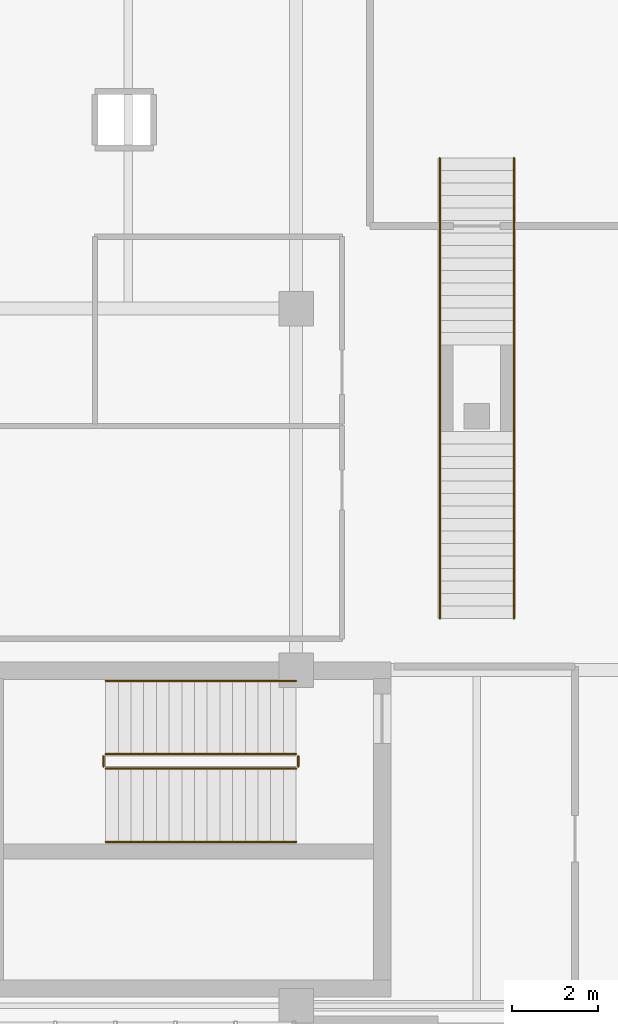
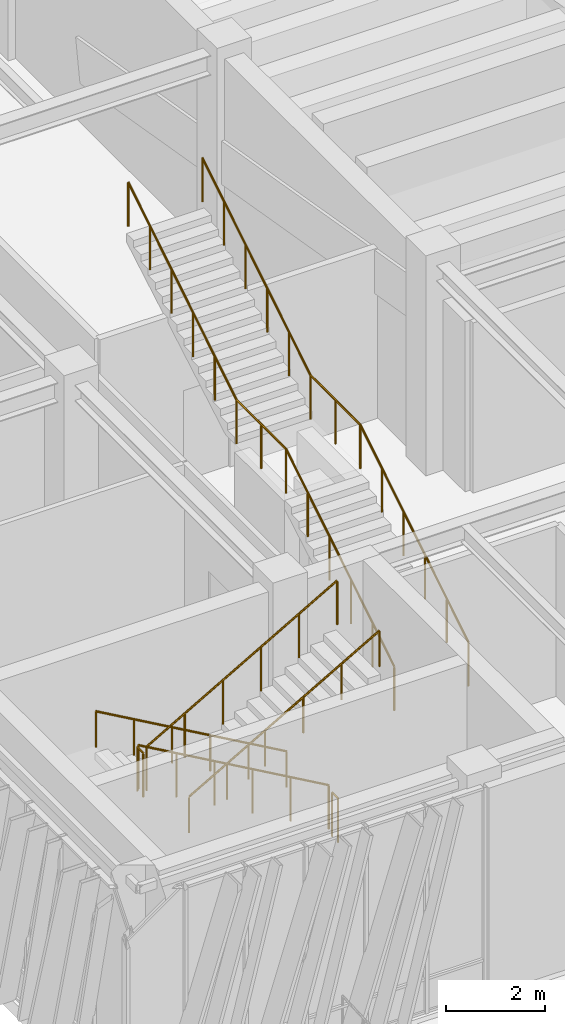
# One storey, part 111 of 122: 8 railings.
"""IFC4 building model written with IfcOpenShell, lengths in metres."""

from ifc_helpers import new_model, si_unit, direction, frame, origin, origin_2d, place, context, subcontext, project, spatial, circle, extrude, material, type_object, element, save


model = new_model("IFC4")

# Units and contexts
model_context = context("Model", 3, precision=1e-05, world=origin(), true_north=direction((0.0, 1.0)))
body_context = subcontext(model_context, "Body", "Model", "MODEL_VIEW")
ifc_project = project(units=[si_unit("LENGTHUNIT", "METRE"), si_unit("AREAUNIT", "SQUARE_METRE"), si_unit("VOLUMEUNIT", "CUBIC_METRE"), si_unit("PLANEANGLEUNIT", "RADIAN"), si_unit("MASSUNIT", "GRAM", prefix="KILO")], contexts=[model_context])

# Site, building, storey
site_placement = place(None, origin())
site = spatial("IfcSite", under=ifc_project, at=site_placement, CompositionType="ELEMENT")
building_placement = place(site_placement, origin())
building = spatial("IfcBuilding", under=site, at=building_placement, Name="Zayran Congress Hotel", CompositionType="ELEMENT")
storey_placement = place(building_placement, origin())
storey = spatial("IfcBuildingStorey", under=building, at=storey_placement, Name="L00", CompositionType="ELEMENT", Elevation=0.0)

# Railings
ifc_material_1 = material(Name="Painted steel balustrade", Category="steel")
railing_type_1 = type_object("IfcRailingType", Name="TP-GRD-INT", PredefinedType="GUARDRAIL", material=ifc_material_1)
railing_1_placement = place(storey_placement, frame((16.800048828125, 74.050048828125, 0.168701171875)))
element("IfcRailing", 1, at=railing_1_placement, inside=storey, type_object=railing_type_1, Name="L00 ST-05 stair guard 1", PredefinedType="GUARDRAIL", context=body_context, shape_type="SweptSolid", body=[
    extrude(circle(Radius=0.02392578125, at=origin_2d()), frame((0.0, 0.0, 1.076171875), z_axis=(-0.868019072493, 0.0, 0.49653085482), x_axis=(0.0, -1.0, 0.0)), (0.0, 0.0, 1.0), 5.097900390625),
    extrude(circle(Radius=0.02099609375, at=origin_2d()), origin(), (0.0, 0.0, 1.0), 1.052001953125),
    extrude(circle(Radius=0.02099609375, at=origin_2d()), frame((-0.885009765625, 0.0, 0.50634765625)), (0.0, 0.0, 1.0), 1.052001953125),
    extrude(circle(Radius=0.02099609375, at=origin_2d()), frame((-1.77001953125, 0.0, 1.012451171875)), (0.0, 0.0, 1.0), 1.052001953125),
    extrude(circle(Radius=0.02099609375, at=origin_2d()), frame((-2.655029296875, 0.0, 1.518798828125)), (0.0, 0.0, 1.0), 1.052001953125),
    extrude(circle(Radius=0.02099609375, at=origin_2d()), frame((-3.5400390625, 0.0, 2.02490234375)), (0.0, 0.0, 1.0), 1.052001953125),
    extrude(circle(Radius=0.02099609375, at=origin_2d()), frame((-4.425048828125, 0.0, 2.53125)), (0.0, 0.0, 1.0), 1.052001953125),
])
railing_2_placement = place(storey_placement, frame((12.324951171875, 74.0, 2.699951171875)))
element("IfcRailing", 2, at=railing_2_placement, inside=storey, type_object=railing_type_1, Name="L00 ST-05 stair guard 2", PredefinedType="GUARDRAIL", context=body_context, shape_type="SweptSolid", body=[
    extrude(circle(Radius=0.02392578125, at=origin_2d()), frame((0.0, 0.0, 1.076171875), z_axis=(0.0, -1.0, 0.0), x_axis=(1.0, 0.0, 0.0)), (0.0, 0.0, 1.0), 0.239990234375),
    extrude(circle(Radius=0.02099609375, at=origin_2d()), origin(), (0.0, 0.0, 1.0), 1.052001953125),
    extrude(circle(Radius=0.02099609375, at=origin_2d()), frame((0.0, -0.239990234375, 0.0)), (0.0, 0.0, 1.0), 1.052001953125),
])
railing_3_placement = place(storey_placement, frame((12.375, 73.7099609375, 2.86865234375)))
element("IfcRailing", 3, at=railing_3_placement, inside=storey, type_object=railing_type_1, Name="L00 ST-05 stair guard 3", PredefinedType="GUARDRAIL", context=body_context, shape_type="SweptSolid", body=[
    extrude(circle(Radius=0.02392578125, at=origin_2d()), frame((0.0, 0.0, 1.076171875), z_axis=(0.868019072493, 0.0, 0.49653085482), x_axis=(0.0, 1.0, 0.0)), (0.0, 0.0, 1.0), 5.097900390625),
    extrude(circle(Radius=0.02099609375, at=origin_2d()), origin(), (0.0, 0.0, 1.0), 1.052001953125),
    extrude(circle(Radius=0.02099609375, at=origin_2d()), frame((0.885009765625, 0.0, 0.50634765625)), (0.0, 0.0, 1.0), 1.052001953125),
    extrude(circle(Radius=0.02099609375, at=origin_2d()), frame((1.77001953125, 0.0, 1.012451171875)), (0.0, 0.0, 1.0), 1.052001953125),
    extrude(circle(Radius=0.02099609375, at=origin_2d()), frame((2.655029296875, 0.0, 1.518798828125)), (0.0, 0.0, 1.0), 1.052001953125),
    extrude(circle(Radius=0.02099609375, at=origin_2d()), frame((3.5400390625, 0.0, 2.02490234375)), (0.0, 0.0, 1.0), 1.052001953125),
    extrude(circle(Radius=0.02099609375, at=origin_2d()), frame((4.425048828125, 0.0, 2.53125)), (0.0, 0.0, 1.0), 1.052001953125),
])
railing_4_placement = place(storey_placement, frame((16.85009765625, 74.0, 0.0)))
element("IfcRailing", 4, at=railing_4_placement, inside=storey, type_object=railing_type_1, Name="L00 ST-05 stair guard 4", PredefinedType="GUARDRAIL", context=body_context, shape_type="SweptSolid", body=[
    extrude(circle(Radius=0.02392578125, at=origin_2d()), frame((0.0, 0.0, 1.076171875), z_axis=(0.0, -1.0, 0.0), x_axis=(1.0, 0.0, 0.0)), (0.0, 0.0, 1.0), 0.239990234375),
    extrude(circle(Radius=0.02099609375, at=origin_2d()), origin(), (0.0, 0.0, 1.0), 1.052001953125),
    extrude(circle(Radius=0.02099609375, at=origin_2d()), frame((0.0, -0.239990234375, 0.0)), (0.0, 0.0, 1.0), 1.052001953125),
])
railing_5_placement = place(storey_placement, frame((21.860107421875, 77.199951171875, 0.0)))
element("IfcRailing", 5, at=railing_5_placement, inside=storey, type_object=railing_type_1, Name="GRD-VOM-01-R", PredefinedType="GUARDRAIL", context=body_context, shape_type="SweptSolid", body=[
    extrude(circle(Radius=0.02392578125, at=origin_2d()), frame((0.0, 0.0, 1.076171875), z_axis=(0.0, 0.849649743971, 0.527347430608), x_axis=(-1.0, 0.0, 0.0)), (0.0, 0.0, 1.0), 5.119873046875),
    extrude(circle(Radius=0.02392578125, at=origin_2d()), frame((0.0, 4.35009765625, 3.77587890625), z_axis=(0.0, 1.0, 0.0), x_axis=(-1.0, 0.0, 0.0)), (0.0, 0.0, 1.0), 2.0),
    extrude(circle(Radius=0.02392578125, at=origin_2d()), frame((0.0, 6.35009765625, 3.77587890625), z_axis=(0.0, 0.849636482215, 0.527368797038), x_axis=(-1.0, 0.0, 0.0)), (0.0, 0.0, 1.0), 5.11962890625),
    extrude(circle(Radius=0.02099609375, at=origin_2d()), origin(), (0.0, 0.0, 1.0), 1.052001953125),
    extrude(circle(Radius=0.02099609375, at=origin_2d()), frame((0.0, 0.8701171875, 0.5400390625)), (0.0, 0.0, 1.0), 1.052001953125),
    extrude(circle(Radius=0.02099609375, at=origin_2d()), frame((0.0, 1.739990234375, 1.080078125)), (0.0, 0.0, 1.0), 1.052001953125),
    extrude(circle(Radius=0.02099609375, at=origin_2d()), frame((0.0, 2.610107421875, 1.619873046875)), (0.0, 0.0, 1.0), 1.052001953125),
    extrude(circle(Radius=0.02099609375, at=origin_2d()), frame((0.0, 3.47998046875, 2.159912109375)), (0.0, 0.0, 1.0), 1.052001953125),
    extrude(circle(Radius=0.02099609375, at=origin_2d()), frame((0.0, 4.35009765625, 2.699951171875)), (0.0, 0.0, 1.0), 1.052001953125),
    extrude(circle(Radius=0.02099609375, at=origin_2d()), frame((0.0, 5.35009765625, 2.699951171875)), (0.0, 0.0, 1.0), 1.052001953125),
    extrude(circle(Radius=0.02099609375, at=origin_2d()), frame((0.0, 6.35009765625, 2.699951171875)), (0.0, 0.0, 1.0), 1.052001953125),
    extrude(circle(Radius=0.02099609375, at=origin_2d()), frame((0.0, 7.219970703125, 3.239990234375)), (0.0, 0.0, 1.0), 1.052001953125),
    extrude(circle(Radius=0.02099609375, at=origin_2d()), frame((0.0, 8.090087890625, 3.780029296875)), (0.0, 0.0, 1.0), 1.052001953125),
    extrude(circle(Radius=0.02099609375, at=origin_2d()), frame((0.0, 8.9599609375, 4.31982421875)), (0.0, 0.0, 1.0), 1.052001953125),
    extrude(circle(Radius=0.02099609375, at=origin_2d()), frame((0.0, 9.830078125, 4.85986328125)), (0.0, 0.0, 1.0), 1.052001953125),
    extrude(circle(Radius=0.02099609375, at=origin_2d()), frame((0.0, 10.699951171875, 5.39990234375)), (0.0, 0.0, 1.0), 1.052001953125),
])
railing_6_placement = place(storey_placement, frame((20.139892578125, 77.199951171875, 0.0)))
element("IfcRailing", 6, at=railing_6_placement, inside=storey, type_object=railing_type_1, Name="GRD-VOM-01-L", PredefinedType="GUARDRAIL", context=body_context, shape_type="SweptSolid", body=[
    extrude(circle(Radius=0.02392578125, at=origin_2d()), frame((0.0, 0.0, 1.076171875), z_axis=(0.0, 0.849649743971, 0.527347430608), x_axis=(-1.0, 0.0, 0.0)), (0.0, 0.0, 1.0), 5.119873046875),
    extrude(circle(Radius=0.02392578125, at=origin_2d()), frame((0.0, 4.35009765625, 3.77587890625), z_axis=(0.0, 1.0, 0.0), x_axis=(-1.0, 0.0, 0.0)), (0.0, 0.0, 1.0), 2.0),
    extrude(circle(Radius=0.02392578125, at=origin_2d()), frame((0.0, 6.35009765625, 3.77587890625), z_axis=(0.0, 0.849636482215, 0.527368797038), x_axis=(-1.0, 0.0, 0.0)), (0.0, 0.0, 1.0), 5.11962890625),
    extrude(circle(Radius=0.02099609375, at=origin_2d()), origin(), (0.0, 0.0, 1.0), 1.052001953125),
    extrude(circle(Radius=0.02099609375, at=origin_2d()), frame((0.0, 0.8701171875, 0.5400390625)), (0.0, 0.0, 1.0), 1.052001953125),
    extrude(circle(Radius=0.02099609375, at=origin_2d()), frame((0.0, 1.739990234375, 1.080078125)), (0.0, 0.0, 1.0), 1.052001953125),
    extrude(circle(Radius=0.02099609375, at=origin_2d()), frame((0.0, 2.610107421875, 1.619873046875)), (0.0, 0.0, 1.0), 1.052001953125),
    extrude(circle(Radius=0.02099609375, at=origin_2d()), frame((0.0, 3.47998046875, 2.159912109375)), (0.0, 0.0, 1.0), 1.052001953125),
    extrude(circle(Radius=0.02099609375, at=origin_2d()), frame((0.0, 4.35009765625, 2.699951171875)), (0.0, 0.0, 1.0), 1.052001953125),
    extrude(circle(Radius=0.02099609375, at=origin_2d()), frame((0.0, 5.35009765625, 2.699951171875)), (0.0, 0.0, 1.0), 1.052001953125),
    extrude(circle(Radius=0.02099609375, at=origin_2d()), frame((0.0, 6.35009765625, 2.699951171875)), (0.0, 0.0, 1.0), 1.052001953125),
    extrude(circle(Radius=0.02099609375, at=origin_2d()), frame((0.0, 7.219970703125, 3.239990234375)), (0.0, 0.0, 1.0), 1.052001953125),
    extrude(circle(Radius=0.02099609375, at=origin_2d()), frame((0.0, 8.090087890625, 3.780029296875)), (0.0, 0.0, 1.0), 1.052001953125),
    extrude(circle(Radius=0.02099609375, at=origin_2d()), frame((0.0, 8.9599609375, 4.31982421875)), (0.0, 0.0, 1.0), 1.052001953125),
    extrude(circle(Radius=0.02099609375, at=origin_2d()), frame((0.0, 9.830078125, 4.85986328125)), (0.0, 0.0, 1.0), 1.052001953125),
    extrude(circle(Radius=0.02099609375, at=origin_2d()), frame((0.0, 10.699951171875, 5.39990234375)), (0.0, 0.0, 1.0), 1.052001953125),
])
ifc_material_2 = material(Name="Brushed stainless steel handrail", Category="steel")
railing_type_2 = type_object("IfcRailingType", Name="TP-HND-STR", PredefinedType="HANDRAIL", material=ifc_material_2)
railing_7_placement = place(storey_placement, frame((16.800048828125, 75.75, 0.168701171875)))
element("IfcRailing", 7, at=railing_7_placement, inside=storey, type_object=railing_type_2, Name="L00 ST-05 stair handrail 1", PredefinedType="HANDRAIL", context=body_context, shape_type="SweptSolid", body=[
    extrude(circle(Radius=0.02392578125, at=origin_2d()), frame((0.0, 0.0, 0.8759765625), z_axis=(-0.868019072493, 0.0, 0.49653085482), x_axis=(0.0, -1.0, 0.0)), (0.0, 0.0, 1.0), 5.097900390625),
    extrude(circle(Radius=0.02099609375, at=origin_2d()), origin(), (0.0, 0.0, 1.0), 0.851806640625),
    extrude(circle(Radius=0.02099609375, at=origin_2d()), frame((-0.885009765625, 0.0, 0.50634765625)), (0.0, 0.0, 1.0), 0.851806640625),
    extrude(circle(Radius=0.02099609375, at=origin_2d()), frame((-1.77001953125, 0.0, 1.012451171875)), (0.0, 0.0, 1.0), 0.851806640625),
    extrude(circle(Radius=0.02099609375, at=origin_2d()), frame((-2.655029296875, 0.0, 1.518798828125)), (0.0, 0.0, 1.0), 0.851806640625),
    extrude(circle(Radius=0.02099609375, at=origin_2d()), frame((-3.5400390625, 0.0, 2.02490234375)), (0.0, 0.0, 1.0), 0.851806640625),
    extrude(circle(Radius=0.02099609375, at=origin_2d()), frame((-4.425048828125, 0.0, 2.53125)), (0.0, 0.0, 1.0), 0.851806640625),
])
railing_8_placement = place(storey_placement, frame((12.375, 72.010009765625, 2.86865234375)))
element("IfcRailing", 8, at=railing_8_placement, inside=storey, type_object=railing_type_2, Name="L00 ST-05 stair handrail 2", PredefinedType="HANDRAIL", context=body_context, shape_type="SweptSolid", body=[
    extrude(circle(Radius=0.02392578125, at=origin_2d()), frame((0.0, 0.0, 0.8759765625), z_axis=(0.868019072493, 0.0, 0.49653085482), x_axis=(0.0, 1.0, 0.0)), (0.0, 0.0, 1.0), 5.097900390625),
    extrude(circle(Radius=0.02099609375, at=origin_2d()), origin(), (0.0, 0.0, 1.0), 0.851806640625),
    extrude(circle(Radius=0.02099609375, at=origin_2d()), frame((0.885009765625, 0.0, 0.50634765625)), (0.0, 0.0, 1.0), 0.851806640625),
    extrude(circle(Radius=0.02099609375, at=origin_2d()), frame((1.77001953125, 0.0, 1.012451171875)), (0.0, 0.0, 1.0), 0.851806640625),
    extrude(circle(Radius=0.02099609375, at=origin_2d()), frame((2.655029296875, 0.0, 1.518798828125)), (0.0, 0.0, 1.0), 0.851806640625),
    extrude(circle(Radius=0.02099609375, at=origin_2d()), frame((3.5400390625, 0.0, 2.02490234375)), (0.0, 0.0, 1.0), 0.851806640625),
    extrude(circle(Radius=0.02099609375, at=origin_2d()), frame((4.425048828125, 0.0, 2.53125)), (0.0, 0.0, 1.0), 0.851806640625),
])

save(model, "model.ifc")
